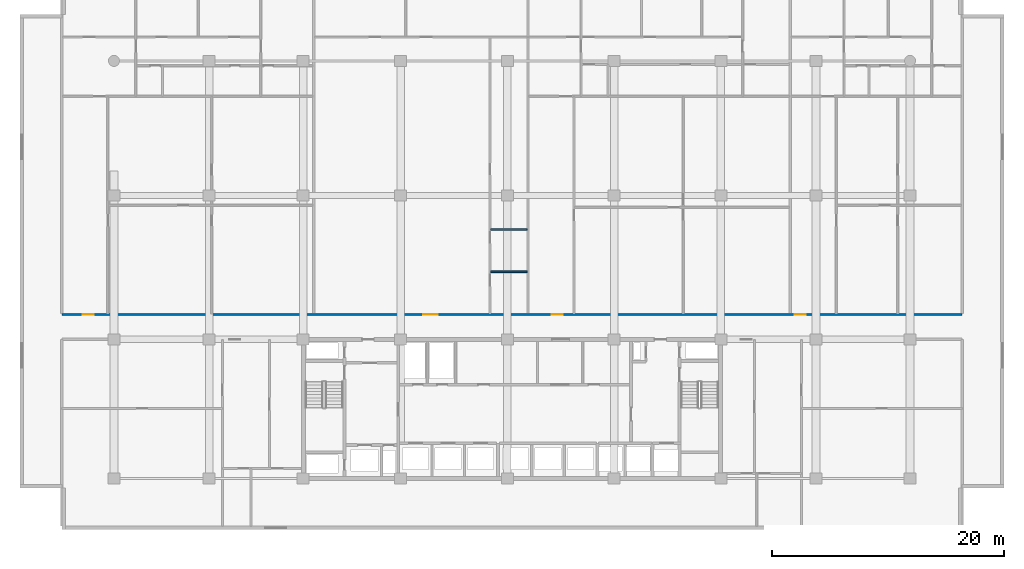
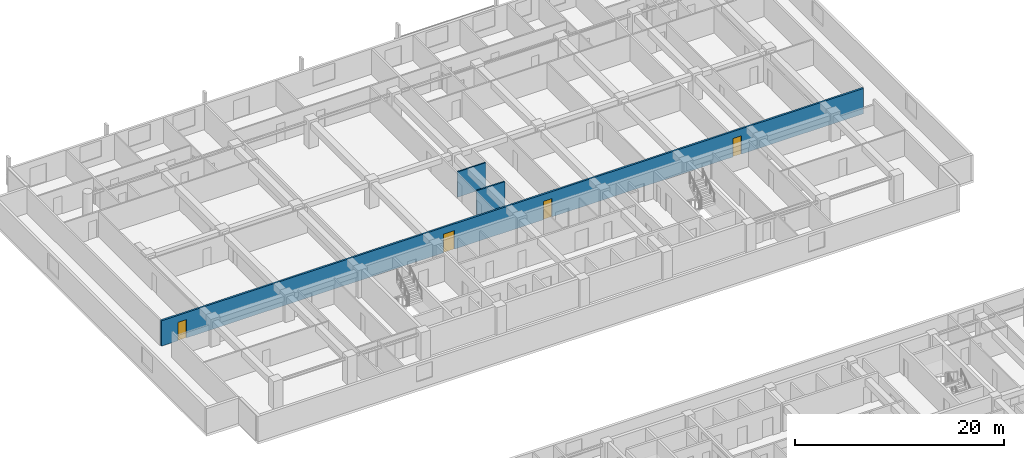
# One storey, part 13 of 23: 4 doors, 3 walls, 4 openings.
"""IFC4 building model written with IfcOpenShell, lengths in metres."""

from ifc_helpers import new_model, si_unit, direction, frame, frame_2d, origin, place, context, subcontext, project, spatial, rectangle, extrude, material, layer, layer_set, type_object, element, fill, save


model = new_model("IFC4")

# Units and contexts
model_context = context("Model", 3, precision=1e-05, world=origin(), true_north=direction((0.0, 1.0)))
body_context = subcontext(model_context, "Body", "Model", "MODEL_VIEW")
ifc_project = project(units=[si_unit("LENGTHUNIT", "METRE"), si_unit("AREAUNIT", "SQUARE_METRE"), si_unit("VOLUMEUNIT", "CUBIC_METRE"), si_unit("PLANEANGLEUNIT", "RADIAN"), si_unit("MASSUNIT", "GRAM", prefix="KILO")], contexts=[model_context])

# Site, building, storey
site_placement = place(None, origin())
site = spatial("IfcSite", under=ifc_project, at=site_placement, CompositionType="ELEMENT")
building_placement = place(site_placement, origin())
building = spatial("IfcBuilding", under=site, at=building_placement, Name="Korimba Cascade Residences", CompositionType="ELEMENT")
storey_placement = place(building_placement, frame((0.0, 0.0, 56.5)))
storey = spatial("IfcBuildingStorey", under=building, at=storey_placement, Name="L15", CompositionType="ELEMENT", Elevation=56.5)

# Wall, openings, doors
ifc_material_1 = material(Name="Precast concrete C40/50", Category="concrete")
ifc_layer_1 = layer(ifc_material_1, 0.199951171875)
ifc_layer_set_1 = layer_set([ifc_layer_1], Name="Precast concrete C40/50")
wall_type_1 = type_object("IfcWallType", Name="WAL-IT-200", PredefinedType="PARTITIONING", material=ifc_layer_set_1)
wall_placement = place(storey_placement, frame((55.300048828125, 69.35009765625, 0.0), z_axis=(0.0, 0.0, 1.0), x_axis=(1.0, 0.0, 0.0)))
wall = element("IfcWall", 1, at=wall_placement, inside=storey, type_object=wall_type_1, Name="L15 Partition Wall WAL-L15-T1-CORN", PredefinedType="PARTITIONING", context=body_context, shape_type="SweptSolid", body=[
    extrude(rectangle(XDim=77.599853515625, YDim=0.199951171875, at=frame_2d((38.7998046875, 0.0))), origin(), (0.0, 0.0, 1.0), 2.969970703125),
])
opening_1_placement = place(wall_placement, frame((1.81005859375, 0.0, 0.0)))
opening_1 = element("IfcOpeningElement", 2, at=opening_1_placement, cuts=wall, Name="Opening D-UN1", PredefinedType="OPENING", context=body_context, shape_type="SweptSolid", body=[
    extrude(rectangle(XDim=0.949951171875, YDim=2.14990234375, at=frame_2d((0.47509765625, 1.074951171875))), frame((0.0, 0.10986328125, 0.0), z_axis=(0.0, -1.0, 0.0), x_axis=(1.0, 0.0, 0.0)), (0.0, 0.0, 1.0), 0.219970703125),
])
opening_2_placement = place(wall_placement, frame((31.160888671875, 0.0, 0.0)))
opening_2 = element("IfcOpeningElement", 3, at=opening_2_placement, cuts=wall, Name="Opening D-AM1", PredefinedType="OPENING", context=body_context, shape_type="SweptSolid", body=[
    extrude(rectangle(XDim=1.219970703125, YDim=2.179931640625, at=frame_2d((0.60986328125, 1.08984375))), frame((0.0, 0.10986328125, 0.0), z_axis=(0.0, -1.0, 0.0), x_axis=(1.0, 0.0, 0.0)), (0.0, 0.0, 1.0), 0.219970703125),
])
opening_3_placement = place(wall_placement, frame((42.222412109375, 0.0, 0.0)))
opening_3 = element("IfcOpeningElement", 4, at=opening_3_placement, cuts=wall, Name="Opening D-UN1", PredefinedType="OPENING", context=body_context, shape_type="SweptSolid", body=[
    extrude(rectangle(XDim=0.949951171875, YDim=2.14990234375, at=frame_2d((0.47509765625, 1.074951171875))), frame((0.0, 0.10986328125, 0.0), z_axis=(0.0, -1.0, 0.0), x_axis=(1.0, 0.0, 0.0)), (0.0, 0.0, 1.0), 0.219970703125),
])
opening_4_placement = place(wall_placement, frame((63.153076171875, 0.0, 0.0)))
opening_4 = element("IfcOpeningElement", 5, at=opening_4_placement, cuts=wall, Name="Opening D-UN1", PredefinedType="OPENING", context=body_context, shape_type="SweptSolid", body=[
    extrude(rectangle(XDim=0.949951171875, YDim=2.14990234375, at=frame_2d((0.47509765625, 1.074951171875))), frame((0.0, 0.10986328125, 0.0), z_axis=(0.0, -1.0, 0.0), x_axis=(1.0, 0.0, 0.0)), (0.0, 0.0, 1.0), 0.219970703125),
])
ifc_material_2 = material(Name="Fire-Rated Glazed Timber Suite Door", Category="wood")
door_type_1 = type_object("IfcDoorType", Name="DR-FD60-1200", OperationType="NOTDEFINED", PredefinedType="DOOR", material=ifc_material_2)
door_1_placement = place(opening_2_placement, origin())
door_1 = element("IfcDoor", 6, at=door_1_placement, inside=storey, type_object=door_type_1, Name="L15-T1-U02 Architecture Reading Library Door", OperationType="SINGLE_SWING_RIGHT", OverallHeight=2.179931640625, OverallWidth=1.219970703125, PredefinedType="DOOR", context=body_context, shape_type="SweptSolid", body=[
    extrude(rectangle(XDim=1.219970703125, YDim=2.179931640625, at=frame_2d((0.60986328125, 1.08984375))), frame((0.0, 0.02490234375, 0.0), z_axis=(0.0, -1.0, 0.0), x_axis=(1.0, 0.0, 0.0)), (0.0, 0.0, 1.0), 0.050048828125),
])
fill(opening_2, door_1)
ifc_material_3 = material(Name="Fire-Rated Hardwood Apartment Entrance Door", Category="wood")
door_type_2 = type_object("IfcDoorType", Name="DR-FD60-950", OperationType="NOTDEFINED", PredefinedType="DOOR", material=ifc_material_3)
door_2_placement = place(opening_1_placement, origin())
door_2 = element("IfcDoor", 7, at=door_2_placement, inside=storey, type_object=door_type_2, Name="Unit L15-T1-U01 Entrance Door", OperationType="SINGLE_SWING_LEFT", OverallHeight=2.14990234375, OverallWidth=0.949951171875, PredefinedType="DOOR", context=body_context, shape_type="SweptSolid", body=[
    extrude(rectangle(XDim=0.949951171875, YDim=2.14990234375, at=frame_2d((0.47509765625, 1.074951171875))), frame((0.0, 0.02490234375, 0.0), z_axis=(0.0, -1.0, 0.0), x_axis=(1.0, 0.0, 0.0)), (0.0, 0.0, 1.0), 0.050048828125),
])
fill(opening_1, door_2)
door_3_placement = place(opening_3_placement, origin())
door_3 = element("IfcDoor", 8, at=door_3_placement, inside=storey, type_object=door_type_2, Name="Unit L15-T1-U03 Entrance Door", OperationType="SINGLE_SWING_LEFT", OverallHeight=2.14990234375, OverallWidth=0.949951171875, PredefinedType="DOOR", context=body_context, shape_type="SweptSolid", body=[
    extrude(rectangle(XDim=0.949951171875, YDim=2.14990234375, at=frame_2d((0.47509765625, 1.074951171875))), frame((0.0, 0.02490234375, 0.0), z_axis=(0.0, -1.0, 0.0), x_axis=(1.0, 0.0, 0.0)), (0.0, 0.0, 1.0), 0.050048828125),
])
fill(opening_3, door_3)
door_4_placement = place(opening_4_placement, origin())
door_4 = element("IfcDoor", 9, at=door_4_placement, inside=storey, type_object=door_type_2, Name="Unit L15-T1-U04 Entrance Door", OperationType="SINGLE_SWING_RIGHT", OverallHeight=2.14990234375, OverallWidth=0.949951171875, PredefinedType="DOOR", context=body_context, shape_type="SweptSolid", body=[
    extrude(rectangle(XDim=0.949951171875, YDim=2.14990234375, at=frame_2d((0.47509765625, 1.074951171875))), frame((0.0, 0.02490234375, 0.0), z_axis=(0.0, -1.0, 0.0), x_axis=(1.0, 0.0, 0.0)), (0.0, 0.0, 1.0), 0.050048828125),
])
fill(opening_4, door_4)

# Walls
ifc_material_4 = material(Name="Insulated Acoustic Stud Partition", Category="gypsum")
ifc_layer_2 = layer(ifc_material_4, 0.14990234375)
ifc_layer_set_2 = layer_set([ifc_layer_2], Name="Insulated Acoustic Stud Partition")
wall_type_2 = type_object("IfcWallType", Name="WAL-PART-150", PredefinedType="PARTITIONING", material=ifc_layer_set_2)
for number, where, z_axis, x_axis, name in (
    (10, (92.267333984375, 73.02001953125, 0.0), (0.0, 0.0, 1.0), (1.0, 0.0, 0.0), "L15 Partition Wall WAL-L15-T1-U02-WCH"),
    (11, (92.267333984375, 76.669921875, 0.0), (0.0, 0.0, 1.0), (1.0, 0.0, 0.0), "L15 Partition Wall WAL-L15-T1-U02-WCH2"),
):
    element("IfcWall", number, at=place(storey_placement, frame(where, z_axis=z_axis, x_axis=x_axis)), inside=storey, type_object=wall_type_2, Name=name, PredefinedType="PARTITIONING", context=body_context, shape_type="SweptSolid", body=[
        extrude(rectangle(XDim=3.1298828125, YDim=0.14990234375, at=frame_2d((1.56494140625, 0.0))), origin(), (0.0, 0.0, 1.0), 2.969970703125),
    ])

save(model, "model.ifc")
